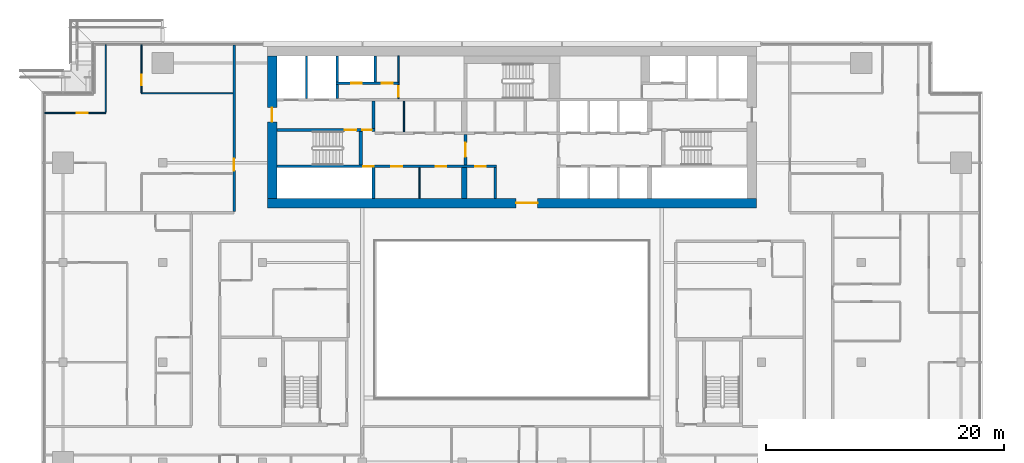
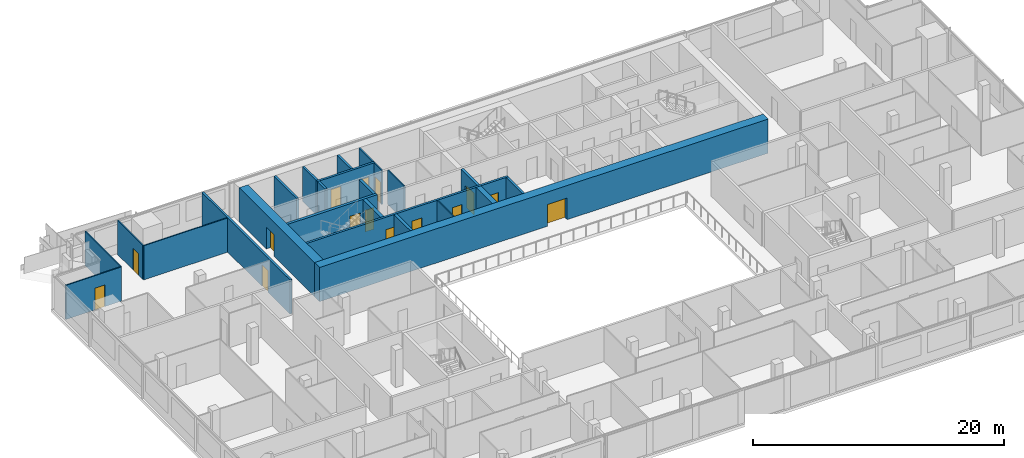
# One storey, part 21 of 30: 24 walls, 15 doors, 15 openings.
"""IFC4 building model written with IfcOpenShell, lengths in metres."""

import ifcopenshell
import ifcopenshell.guid

model = None  # the IFC model being written
_history = None  # IfcOwnerHistory: only IFC2X3 demands one
_inside = {}  # id of a spatial element -> (the spatial element, [elements in it])
_under = {}  # id of a project, library or spatial element -> (it, [spatial elements below it])
_declared = {}  # id of a project -> (the project, [libraries it declares])
_typed = {}  # id of a type object -> (the type object, [elements of that type])
_made_of = {}  # id of a material, layer set ... -> (it, [elements and type objects made of it])


def new_model(schema):
    """Start an empty IFC model of exactly this schema.

    Asked for "IFC4X3", IfcOpenShell would pick the latest addendum, in which some entities
    have other attributes; the version numbers below select the first issue.
    IFC2X3 requires an IfcOwnerHistory on every rooted entity: one is made here for all.
    """
    global model, _history
    if schema == "IFC4X3":
        model = ifcopenshell.file(schema_version=(4, 3, 0, 0))
    else:
        model = ifcopenshell.file(schema=schema)
    _inside.clear()
    _under.clear()
    _declared.clear()
    _typed.clear()
    _made_of.clear()
    _history = None
    if model.schema == "IFC2X3":
        org = make("IfcOrganization", Name="unknown")
        user = make(
            "IfcPersonAndOrganization",
            ThePerson=make("IfcPerson", FamilyName="unknown"),
            TheOrganization=org,
        )
        app = make(
            "IfcApplication",
            ApplicationDeveloper=org,
            Version="unknown",
            ApplicationFullName="unknown",
            ApplicationIdentifier="unknown",
        )
        _history = make(
            "IfcOwnerHistory",
            OwningUser=user,
            OwningApplication=app,
            ChangeAction="ADDED",
            CreationDate=0,
        )
    return model


def make(cls, **values):
    """One entity of the class cls with the attributes given. An attribute that is None is left unset."""
    return model.create_entity(
        cls, **{name: value for name, value in values.items() if value is not None}
    )


def rooted(cls, **values):
    """An entity with a GlobalId (a new one), such as an element, a storey or a relation."""
    return make(cls, GlobalId=ifcopenshell.guid.new(), OwnerHistory=_history, **values)


def si_unit(unit_type, name, prefix=None):
    """IfcSIUnit, for example si_unit("LENGTHUNIT", "METRE", prefix="MILLI")."""
    return make("IfcSIUnit", UnitType=unit_type, Prefix=prefix, Name=name)


def assignment(units):
    """IfcUnitAssignment: the units of a project."""
    return None if units is None else make("IfcUnitAssignment", Units=units)


def point(xyz):
    """IfcCartesianPoint."""
    return None if xyz is None else make("IfcCartesianPoint", Coordinates=xyz)


def direction(xyz):
    """IfcDirection."""
    return None if xyz is None else make("IfcDirection", DirectionRatios=xyz)


def frame(location, z_axis=None, x_axis=None):
    """IfcAxis2Placement3D, a coordinate frame: its origin and axes. An axis left out is left unset."""
    return make(
        "IfcAxis2Placement3D",
        Location=point(location),
        Axis=direction(z_axis),
        RefDirection=direction(x_axis),
    )


def frame_2d(location, x_axis=None):
    """IfcAxis2Placement2D, a coordinate frame in the plane: its origin and x axis."""
    return make(
        "IfcAxis2Placement2D", Location=point(location), RefDirection=direction(x_axis)
    )


def origin():
    """The frame at (0, 0, 0) with its axes left unset."""
    return frame((0.0, 0.0, 0.0))


def place(relative_to, where):
    """IfcLocalPlacement: puts the frame where relative to a parent placement (None: the world)."""
    return make(
        "IfcLocalPlacement", PlacementRelTo=relative_to, RelativePlacement=where
    )


def context(
    kind, dimensions, precision=None, world=None, true_north=None, identifier=None
):
    """IfcGeometricRepresentationContext, for example the 3D "Model" context."""
    return make(
        "IfcGeometricRepresentationContext",
        ContextIdentifier=identifier,
        ContextType=kind,
        CoordinateSpaceDimension=dimensions,
        Precision=precision,
        WorldCoordinateSystem=world,
        TrueNorth=true_north,
    )


def subcontext(parent, identifier, kind, view, scale=None):
    """IfcGeometricRepresentationSubContext, for example "Body" below "Model"."""
    return make(
        "IfcGeometricRepresentationSubContext",
        ContextIdentifier=identifier,
        ContextType=kind,
        ParentContext=parent,
        TargetScale=scale,
        TargetView=view,
    )


def project(units=None, contexts=None):
    """IfcProject with its units and contexts."""
    return rooted(
        "IfcProject",
        Name="project",
        RepresentationContexts=contexts,
        UnitsInContext=assignment(units),
    )


def spatial(cls, under=None, at=None, **own):
    """A site, building, storey or space (cls), placed at a placement, below another one or the project."""
    s = rooted(cls, ObjectPlacement=at, **own)
    if under is not None:
        _under.setdefault(under.id(), (under, []))[1].append(s)
    return s


def profile(cls, at=None, kind="AREA", **sizes):
    """A parametric profile (cls). Its sizes go by their IFC names, for example OverallWidth=200.0."""
    return make(cls, ProfileType=kind, Position=at, **sizes)


def rectangle(**sizes):
    """IfcRectangleProfileDef."""
    return profile("IfcRectangleProfileDef", **sizes)


def extrude(swept, where, along, depth):
    """IfcExtrudedAreaSolid: the profile swept, set in the frame where, extruded along a direction by depth."""
    return make(
        "IfcExtrudedAreaSolid",
        SweptArea=swept,
        Position=where,
        ExtrudedDirection=direction(along),
        Depth=depth,
    )


def shape(context_of_items, identifier, shape_type, items):
    """IfcShapeRepresentation: the items that make up one representation, for example the "Body"."""
    return make(
        "IfcShapeRepresentation",
        ContextOfItems=context_of_items,
        RepresentationIdentifier=identifier,
        RepresentationType=shape_type,
        Items=items,
    )


def material(Name=None, Category=None):
    """IfcMaterial."""
    return make("IfcMaterial", Name=Name, Category=Category)


def layer(
    of_material, thickness, ventilated=None, Name=None, Category=None, Priority=None
):
    """IfcMaterialLayer: one layer of a wall or slab, of a material (None: an air gap)."""
    return make(
        "IfcMaterialLayer",
        Material=of_material,
        LayerThickness=thickness,
        IsVentilated=ventilated,
        Name=Name,
        Category=Category,
        Priority=Priority,
    )


def layer_set(layers, Name=None):
    """IfcMaterialLayerSet."""
    return make("IfcMaterialLayerSet", MaterialLayers=layers, LayerSetName=Name)


def made_of(thing, what):
    """Note that an element or type object is made of a material, layer set ...; save() writes the relation."""
    if what is not None:
        _made_of.setdefault(what.id(), (what, []))[1].append(thing)
    return thing


def type_object(cls, material=None, **own):
    """A type object (cls), such as IfcWallType, which elements share."""
    return made_of(rooted(cls, **own), material)


def element(
    cls,
    number,
    at=None,
    inside=None,
    cuts=None,
    type_object=None,
    material=None,
    context=None,
    identifier="Body",
    shape_type=None,
    held_by="IfcProductDefinitionShape",
    body=None,
    shapes=None,
    **own,
):
    """One element of the class cls, such as IfcWall. Its Tag is "e" and its number.

    at: its placement. inside: the storey or other place that contains it. cuts: it is an
    opening in that element (IfcRelVoidsElement). A single representation is given by context,
    identifier, shape_type and body (its items); several are given by shapes. held_by: the class
    of the entity that holds the representations. save() writes the other relations.
    """
    e = rooted(cls, Tag="e%d" % number, ObjectPlacement=at, **own)
    if body is not None:
        shapes = [shape(context, identifier, shape_type, body)]
    if shapes is not None:
        e.Representation = make(held_by, Representations=shapes)
    if inside is not None:
        _inside.setdefault(inside.id(), (inside, []))[1].append(e)
    if cuts is not None:
        rooted(
            "IfcRelVoidsElement", RelatingBuildingElement=cuts, RelatedOpeningElement=e
        )
    if type_object is not None:
        _typed.setdefault(type_object.id(), (type_object, []))[1].append(e)
    return made_of(e, material)


def fill(opening, filler):
    """IfcRelFillsElement: the door or window that sits in an opening."""
    return rooted(
        "IfcRelFillsElement",
        RelatingOpeningElement=opening,
        RelatedBuildingElement=filler,
    )


def aggregate(whole, parts):
    """IfcRelAggregates: a whole, such as a stair, and the parts it consists of."""
    return rooted("IfcRelAggregates", RelatingObject=whole, RelatedObjects=parts)


def save(model, path):
    """Write the relations noted so far, then the file.

    IfcRelAggregates (storeys below a building ...), IfcRelContainedInSpatialStructure (elements
    in a storey), IfcRelDefinesByType, IfcRelAssociatesMaterial and IfcRelDeclares: one each for
    every whole, place, type object, material and project.
    """
    for whole, parts in _under.values():
        aggregate(whole, parts)
    for where, things in _inside.values():
        rooted(
            "IfcRelContainedInSpatialStructure",
            RelatedElements=things,
            RelatingStructure=where,
        )
    for kind, things in _typed.values():
        rooted("IfcRelDefinesByType", RelatedObjects=things, RelatingType=kind)
    for what, things in _made_of.values():
        rooted("IfcRelAssociatesMaterial", RelatedObjects=things, RelatingMaterial=what)
    for by, libraries in _declared.values():
        rooted("IfcRelDeclares", RelatingContext=by, RelatedDefinitions=libraries)
    model.write(path)


model = new_model("IFC4")

# Units and contexts
model_context = context("Model", 3, precision=1e-05, world=origin(), true_north=direction((0.0, 1.0)))
body_context = subcontext(model_context, "Body", "Model", "MODEL_VIEW")
ifc_project = project(units=[si_unit("LENGTHUNIT", "METRE"), si_unit("AREAUNIT", "SQUARE_METRE"), si_unit("VOLUMEUNIT", "CUBIC_METRE"), si_unit("PLANEANGLEUNIT", "RADIAN"), si_unit("MASSUNIT", "GRAM", prefix="KILO")], contexts=[model_context])

# Site, building, storey
site_placement = place(None, origin())
site = spatial("IfcSite", under=ifc_project, at=site_placement, CompositionType="ELEMENT")
building_placement = place(site_placement, origin())
building = spatial("IfcBuilding", under=site, at=building_placement, Name="Saffron Gate Tower", CompositionType="ELEMENT")
storey_placement = place(building_placement, frame((0.0, 0.0, 179.85009765625)))
storey = spatial("IfcBuildingStorey", under=building, at=storey_placement, Name="L44", CompositionType="ELEMENT", Elevation=179.85009765625)

# Wall
ifc_material_1 = material(Name="Gypsum board partition on steel studs", Category="steel")
ifc_layer_1 = layer(ifc_material_1, 0.199951171875)
ifc_layer_set_1 = layer_set([ifc_layer_1], Name="CW10 Core partition 200")
wall_type_1 = type_object("IfcWallType", Name="CW10 Core partition 200", PredefinedType="PARTITIONING", material=ifc_layer_set_1)
wall_1_placement = place(storey_placement, frame((86.199951171875, 62.39990234375, 0.0), z_axis=(0.0, 0.0, 1.0), x_axis=(0.0, 1.0, 0.0)))
element("IfcWall", 1, at=wall_1_placement, inside=storey, type_object=wall_type_1, Name="Wall CW10-L44-8", PredefinedType="PARTITIONING", context=body_context, shape_type="SweptSolid", body=[
    extrude(rectangle(XDim=2.60009765625, YDim=0.199951171875, at=frame_2d((1.300048828125, 0.0))), origin(), (0.0, 0.0, 1.0), 3.31982421875),
])

# Wall, opening, door
ifc_material_2 = material(Name="Concrete C60", Category="concrete")
ifc_layer_2 = layer(ifc_material_2, 0.800048828125)
ifc_layer_set_2 = layer_set([ifc_layer_2], Name="CW13 RC core wall 800 C60")
wall_type_2 = type_object("IfcWallType", Name="CW13 RC core wall 800 C60", PredefinedType="SOLIDWALL", material=ifc_layer_set_2)
wall_2_placement = place(storey_placement, frame((67.0, 62.0, 0.0), z_axis=(0.0, 0.0, 1.0), x_axis=(1.0, 0.0, 0.0)))
wall_2 = element("IfcWall", 2, at=wall_2_placement, inside=storey, type_object=wall_type_2, Name="Wall CW13-L44-1", PredefinedType="SOLIDWALL", context=body_context, shape_type="SweptSolid", body=[
    extrude(rectangle(XDim=41.199951171875, YDim=0.800048828125, at=frame_2d((20.60009765625, 0.0))), origin(), (0.0, 0.0, 1.0), 3.31982421875),
])
opening_1_placement = place(wall_2_placement, frame((20.949951171875, 0.0, 0.0)))
opening_1 = element("IfcOpeningElement", 3, at=opening_1_placement, cuts=wall_2, Name="Opening CR-09", PredefinedType="OPENING", context=body_context, shape_type="SweptSolid", body=[
    extrude(rectangle(XDim=1.800048828125, YDim=2.10009765625, at=frame_2d((0.89990234375, 1.050048828125))), frame((0.0, 0.41015625, 0.0), z_axis=(0.0, -1.0, 0.0), x_axis=(1.0, 0.0, 0.0)), (0.0, 0.0, 1.0), 0.820068359375),
])
ifc_material_3 = material(Name="Steel fire door set", Category="steel")
door_type_1 = type_object("IfcDoorType", Name="CD1 Core entrance door 1800x2100 EI 120", OperationType="NOTDEFINED", PredefinedType="DOOR", material=ifc_material_3)
door_1_placement = place(opening_1_placement, origin())
door_1 = element("IfcDoor", 4, at=door_1_placement, inside=storey, type_object=door_type_1, Name="DOOR CR-09", OperationType="DOUBLE_DOOR_SINGLE_SWING", OverallHeight=2.10009765625, OverallWidth=1.800048828125, PredefinedType="DOOR", context=body_context, shape_type="SweptSolid", body=[
    extrude(rectangle(XDim=1.800048828125, YDim=2.10009765625, at=frame_2d((0.89990234375, 1.050048828125))), frame((0.0, 0.02490234375, 0.0), z_axis=(0.0, -1.0, 0.0), x_axis=(1.0, 0.0, 0.0)), (0.0, 0.0, 1.0), 0.050048828125),
])
fill(opening_1, door_1)

wall_3_placement = place(storey_placement, frame((67.39990234375, 62.39990234375, 0.0), z_axis=(0.0, 0.0, 1.0), x_axis=(0.0, 1.0, 0.0)))
wall_3 = element("IfcWall", 5, at=wall_3_placement, inside=storey, type_object=wall_type_2, Name="Wall CW13-L44-3", PredefinedType="SOLIDWALL", context=body_context, shape_type="SweptSolid", body=[
    extrude(rectangle(XDim=12.0, YDim=0.800048828125, at=frame_2d((6.0, 0.0))), origin(), (0.0, 0.0, 1.0), 3.31982421875),
])
opening_2_placement = place(wall_3_placement, frame((6.449951171875, 0.0, 0.0)))
opening_2 = element("IfcOpeningElement", 6, at=opening_2_placement, cuts=wall_3, Name="Opening CR-10", PredefinedType="OPENING", context=body_context, shape_type="SweptSolid", body=[
    extrude(rectangle(XDim=1.199951171875, YDim=2.10009765625, at=frame_2d((0.60009765625, 1.050048828125))), frame((0.0, 0.41015625, 0.0), z_axis=(0.0, -1.0, 0.0), x_axis=(1.0, 0.0, 0.0)), (0.0, 0.0, 1.0), 0.820068359375),
])
door_type_2 = type_object("IfcDoorType", Name="CD7 Core entrance door 1200x2100 EI 120", OperationType="NOTDEFINED", PredefinedType="DOOR", material=ifc_material_3)
door_2_placement = place(opening_2_placement, origin())
door_2 = element("IfcDoor", 7, at=door_2_placement, inside=storey, type_object=door_type_2, Name="DOOR CR-10", OperationType="SINGLE_SWING_LEFT", OverallHeight=2.10009765625, OverallWidth=1.199951171875, PredefinedType="DOOR", context=body_context, shape_type="SweptSolid", body=[
    extrude(rectangle(XDim=1.199951171875, YDim=2.10009765625, at=frame_2d((0.60009765625, 1.050048828125))), frame((0.0, 0.02490234375, 0.0), z_axis=(0.0, -1.0, 0.0), x_axis=(1.0, 0.0, 0.0)), (0.0, 0.0, 1.0), 0.050048828125),
])
fill(opening_2, door_2)

# Wall
ifc_layer_3 = layer(ifc_material_2, 0.25)
ifc_layer_set_3 = layer_set([ifc_layer_3], Name="CW14 RC core wall 250 C60")
wall_type_3 = type_object("IfcWallType", Name="CW14 RC core wall 250 C60", PredefinedType="SOLIDWALL", material=ifc_layer_set_3)
wall_4_placement = place(storey_placement, frame((75.925048828125, 62.39990234375, 0.0), z_axis=(0.0, 0.0, 1.0), x_axis=(0.0, 1.0, 0.0)))
element("IfcWall", 8, at=wall_4_placement, inside=storey, type_object=wall_type_3, Name="Wall CW14-L44-5", PredefinedType="SOLIDWALL", context=body_context, shape_type="SweptSolid", body=[
    extrude(rectangle(XDim=2.60009765625, YDim=0.25, at=frame_2d((1.300048828125, 0.0))), origin(), (0.0, 0.0, 1.0), 3.31982421875),
])

# Wall, opening, door
wall_5_placement = place(storey_placement, frame((83.675048828125, 65.199951171875, 0.0), z_axis=(0.0, 0.0, 1.0), x_axis=(0.0, 1.0, 0.0)))
wall_5 = element("IfcWall", 9, at=wall_5_placement, inside=storey, type_object=wall_type_3, Name="Wall CW14-L44-16", PredefinedType="SOLIDWALL", context=body_context, shape_type="SweptSolid", body=[
    extrude(rectangle(XDim=2.60009765625, YDim=0.25, at=frame_2d((1.300048828125, 0.0))), origin(), (0.0, 0.0, 1.0), 3.31982421875),
])
opening_3_placement = place(wall_5_placement, frame((0.699951171875, 0.0, 0.0)))
opening_3 = element("IfcOpeningElement", 10, at=opening_3_placement, cuts=wall_5, Name="Opening CR-07", PredefinedType="OPENING", context=body_context, shape_type="SweptSolid", body=[
    extrude(rectangle(XDim=1.199951171875, YDim=2.10009765625, at=frame_2d((0.60009765625, 1.050048828125))), frame((0.0, 0.135009765625, 0.0), z_axis=(0.0, -1.0, 0.0), x_axis=(1.0, 0.0, 0.0)), (0.0, 0.0, 1.0), 0.27001953125),
])
door_type_3 = type_object("IfcDoorType", Name="CD3 Lobby door 1200x2100 EI 120", OperationType="NOTDEFINED", PredefinedType="DOOR", material=ifc_material_3)
door_3_placement = place(opening_3_placement, origin())
door_3 = element("IfcDoor", 11, at=door_3_placement, inside=storey, type_object=door_type_3, Name="DOOR CR-07", OperationType="SINGLE_SWING_RIGHT", OverallHeight=2.10009765625, OverallWidth=1.199951171875, PredefinedType="DOOR", context=body_context, shape_type="SweptSolid", body=[
    extrude(rectangle(XDim=1.199951171875, YDim=2.10009765625, at=frame_2d((0.60009765625, 1.050048828125))), frame((0.0, 0.02490234375, 0.0), z_axis=(0.0, -1.0, 0.0), x_axis=(1.0, 0.0, 0.0)), (0.0, 0.0, 1.0), 0.050048828125),
])
fill(opening_3, door_3)

# Wall, openings, doors
wall_6_placement = place(storey_placement, frame((67.800048828125, 68.175048828125, 0.0), z_axis=(0.0, 0.0, 1.0), x_axis=(1.0, 0.0, 0.0)))
wall_6 = element("IfcWall", 12, at=wall_6_placement, inside=storey, type_object=wall_type_3, Name="Wall CW14-L44-29", PredefinedType="SOLIDWALL", context=body_context, shape_type="SweptSolid", body=[
    extrude(rectangle(XDim=8.25, YDim=0.25, at=frame_2d((4.125, 0.0))), origin(), (0.0, 0.0, 1.0), 3.31982421875),
])
opening_4_placement = place(wall_6_placement, frame((5.699951171875, 0.0, 0.0)))
opening_4 = element("IfcOpeningElement", 13, at=opening_4_placement, cuts=wall_6, Name="Opening CR-15", PredefinedType="OPENING", context=body_context, shape_type="SweptSolid", body=[
    extrude(rectangle(XDim=1.0, YDim=2.10009765625, at=frame_2d((0.5, 1.050048828125))), frame((0.0, 0.135009765625, 0.0), z_axis=(0.0, -1.0, 0.0), x_axis=(1.0, 0.0, 0.0)), (0.0, 0.0, 1.0), 0.27001953125),
])
opening_5_placement = place(wall_6_placement, frame((7.199951171875, 0.0, 0.0)))
opening_5 = element("IfcOpeningElement", 14, at=opening_5_placement, cuts=wall_6, Name="Opening CR-06", PredefinedType="OPENING", context=body_context, shape_type="SweptSolid", body=[
    extrude(rectangle(XDim=0.800048828125, YDim=2.10009765625, at=frame_2d((0.39990234375, 1.050048828125))), frame((0.0, 0.135009765625, 0.0), z_axis=(0.0, -1.0, 0.0), x_axis=(1.0, 0.0, 0.0)), (0.0, 0.0, 1.0), 0.27001953125),
])
door_type_4 = type_object("IfcDoorType", Name="CD5 Stair door 1000x2100 EI 120", OperationType="NOTDEFINED", PredefinedType="DOOR", material=ifc_material_3)
door_4_placement = place(opening_4_placement, origin())
door_4 = element("IfcDoor", 15, at=door_4_placement, inside=storey, type_object=door_type_4, Name="DOOR CR-15", OperationType="SINGLE_SWING_RIGHT", OverallHeight=2.10009765625, OverallWidth=1.0, PredefinedType="DOOR", context=body_context, shape_type="SweptSolid", body=[
    extrude(rectangle(XDim=1.0, YDim=2.10009765625, at=frame_2d((0.5, 1.050048828125))), frame((0.0, 0.02490234375, 0.0), z_axis=(0.0, -1.0, 0.0), x_axis=(1.0, 0.0, 0.0)), (0.0, 0.0, 1.0), 0.050048828125),
])
fill(opening_4, door_4)
door_type_5 = type_object("IfcDoorType", Name="CD6 Lobby door 800x2100 EI 120", OperationType="NOTDEFINED", PredefinedType="DOOR", material=ifc_material_3)
door_5_placement = place(opening_5_placement, origin())
door_5 = element("IfcDoor", 16, at=door_5_placement, inside=storey, type_object=door_type_5, Name="DOOR CR-06", OperationType="SINGLE_SWING_LEFT", OverallHeight=2.10009765625, OverallWidth=0.800048828125, PredefinedType="DOOR", context=body_context, shape_type="SweptSolid", body=[
    extrude(rectangle(XDim=0.800048828125, YDim=2.10009765625, at=frame_2d((0.39990234375, 1.050048828125))), frame((0.0, 0.02490234375, 0.0), z_axis=(0.0, -1.0, 0.0), x_axis=(1.0, 0.0, 0.0)), (0.0, 0.0, 1.0), 0.050048828125),
])
fill(opening_5, door_5)

# Wall
wall_7_placement = place(storey_placement, frame((75.925048828125, 68.300048828125, 0.0), z_axis=(0.0, 0.0, 1.0), x_axis=(0.0, 1.0, 0.0)))
element("IfcWall", 17, at=wall_7_placement, inside=storey, type_object=wall_type_3, Name="Wall CW14-L44-31", PredefinedType="SOLIDWALL", context=body_context, shape_type="SweptSolid", body=[
    extrude(rectangle(XDim=2.300048828125, YDim=0.25, at=frame_2d((1.14990234375, 0.0))), origin(), (0.0, 0.0, 1.0), 3.31982421875),
])

# Wall, openings, doors
ifc_layer_4 = layer(ifc_material_2, 0.199951171875)
ifc_layer_set_4 = layer_set([ifc_layer_4], Name="CW15 RC core wall 200 C60")
wall_type_4 = type_object("IfcWallType", Name="CW15 RC core wall 200 C60", PredefinedType="SOLIDWALL", material=ifc_layer_set_4)
wall_8_placement = place(storey_placement, frame((67.800048828125, 65.10009765625, 0.0), z_axis=(0.0, 0.0, 1.0), x_axis=(1.0, 0.0, 0.0)))
wall_8 = element("IfcWall", 18, at=wall_8_placement, inside=storey, type_object=wall_type_4, Name="Wall CW15-L44-13", PredefinedType="SOLIDWALL", context=body_context, shape_type="SweptSolid", body=[
    extrude(rectangle(XDim=18.5, YDim=0.199951171875, at=frame_2d((9.25, 0.0))), origin(), (0.0, 0.0, 1.0), 3.31982421875),
])
opening_6_placement = place(wall_8_placement, frame((7.27001953125, 0.0, 0.0)))
opening_6 = element("IfcOpeningElement", 19, at=opening_6_placement, cuts=wall_8, Name="Opening CR-49", PredefinedType="OPENING", context=body_context, shape_type="SweptSolid", body=[
    extrude(rectangle(XDim=0.89990234375, YDim=2.10009765625, at=frame_2d((0.449951171875, 1.050048828125))), frame((0.0, 0.10986328125, 0.0), z_axis=(0.0, -1.0, 0.0), x_axis=(1.0, 0.0, 0.0)), (0.0, 0.0, 1.0), 0.219970703125),
])
opening_7_placement = place(wall_8_placement, frame((9.64990234375, 0.0, 0.0)))
opening_7 = element("IfcOpeningElement", 20, at=opening_7_placement, cuts=wall_8, Name="Opening CR-64", PredefinedType="OPENING", context=body_context, shape_type="SweptSolid", body=[
    extrude(rectangle(XDim=0.89990234375, YDim=2.10009765625, at=frame_2d((0.449951171875, 1.050048828125))), frame((0.0, 0.10986328125, 0.0), z_axis=(0.0, -1.0, 0.0), x_axis=(1.0, 0.0, 0.0)), (0.0, 0.0, 1.0), 0.219970703125),
])
opening_8_placement = place(wall_8_placement, frame((13.360107421875, 0.0, 0.0)))
opening_8 = element("IfcOpeningElement", 21, at=opening_8_placement, cuts=wall_8, Name="Opening CR-65", PredefinedType="OPENING", context=body_context, shape_type="SweptSolid", body=[
    extrude(rectangle(XDim=0.89990234375, YDim=2.10009765625, at=frame_2d((0.449951171875, 1.050048828125))), frame((0.0, 0.10986328125, 0.0), z_axis=(0.0, -1.0, 0.0), x_axis=(1.0, 0.0, 0.0)), (0.0, 0.0, 1.0), 0.219970703125),
])
opening_9_placement = place(wall_8_placement, frame((16.699951171875, 0.0, 0.0)))
opening_9 = element("IfcOpeningElement", 22, at=opening_9_placement, cuts=wall_8, Name="Opening CR-69", PredefinedType="OPENING", context=body_context, shape_type="SweptSolid", body=[
    extrude(rectangle(XDim=0.89990234375, YDim=2.10009765625, at=frame_2d((0.449951171875, 1.050048828125))), frame((0.0, 0.10986328125, 0.0), z_axis=(0.0, -1.0, 0.0), x_axis=(1.0, 0.0, 0.0)), (0.0, 0.0, 1.0), 0.219970703125),
])
door_type_6 = type_object("IfcDoorType", Name="CD2 Riser door 900x2100 EI 60", OperationType="NOTDEFINED", PredefinedType="DOOR", material=ifc_material_3)
door_6_placement = place(opening_6_placement, origin())
door_6 = element("IfcDoor", 23, at=door_6_placement, inside=storey, type_object=door_type_6, Name="DOOR CR-49", OperationType="SINGLE_SWING_LEFT", OverallHeight=2.10009765625, OverallWidth=0.89990234375, PredefinedType="DOOR", context=body_context, shape_type="SweptSolid", body=[
    extrude(rectangle(XDim=0.89990234375, YDim=2.10009765625, at=frame_2d((0.449951171875, 1.050048828125))), frame((0.0, 0.02490234375, 0.0), z_axis=(0.0, -1.0, 0.0), x_axis=(1.0, 0.0, 0.0)), (0.0, 0.0, 1.0), 0.050048828125),
])
fill(opening_6, door_6)
door_type_7 = type_object("IfcDoorType", Name="CD9 Room door 900x2100 EI 60", OperationType="NOTDEFINED", PredefinedType="DOOR", material=ifc_material_3)
door_7_placement = place(opening_7_placement, origin())
door_7 = element("IfcDoor", 24, at=door_7_placement, inside=storey, type_object=door_type_7, Name="DOOR CR-64", OperationType="SINGLE_SWING_RIGHT", OverallHeight=2.10009765625, OverallWidth=0.89990234375, PredefinedType="DOOR", context=body_context, shape_type="SweptSolid", body=[
    extrude(rectangle(XDim=0.89990234375, YDim=2.10009765625, at=frame_2d((0.449951171875, 1.050048828125))), frame((0.0, 0.02490234375, 0.0), z_axis=(0.0, -1.0, 0.0), x_axis=(1.0, 0.0, 0.0)), (0.0, 0.0, 1.0), 0.050048828125),
])
fill(opening_7, door_7)
door_8_placement = place(opening_8_placement, origin())
door_8 = element("IfcDoor", 25, at=door_8_placement, inside=storey, type_object=door_type_7, Name="DOOR CR-65", OperationType="SINGLE_SWING_RIGHT", OverallHeight=2.10009765625, OverallWidth=0.89990234375, PredefinedType="DOOR", context=body_context, shape_type="SweptSolid", body=[
    extrude(rectangle(XDim=0.89990234375, YDim=2.10009765625, at=frame_2d((0.449951171875, 1.050048828125))), frame((0.0, 0.02490234375, 0.0), z_axis=(0.0, -1.0, 0.0), x_axis=(1.0, 0.0, 0.0)), (0.0, 0.0, 1.0), 0.050048828125),
])
fill(opening_8, door_8)
door_9_placement = place(opening_9_placement, origin())
door_9 = element("IfcDoor", 26, at=door_9_placement, inside=storey, type_object=door_type_7, Name="DOOR CR-69", OperationType="SINGLE_SWING_RIGHT", OverallHeight=2.10009765625, OverallWidth=0.89990234375, PredefinedType="DOOR", context=body_context, shape_type="SweptSolid", body=[
    extrude(rectangle(XDim=0.89990234375, YDim=2.10009765625, at=frame_2d((0.449951171875, 1.050048828125))), frame((0.0, 0.02490234375, 0.0), z_axis=(0.0, -1.0, 0.0), x_axis=(1.0, 0.0, 0.0)), (0.0, 0.0, 1.0), 0.050048828125),
])
fill(opening_9, door_9)

# Walls
wall_9_placement = place(storey_placement, frame((70.300048828125, 70.800048828125, 0.0), z_axis=(0.0, 0.0, 1.0), x_axis=(0.0, 1.0, 0.0)))
element("IfcWall", 27, at=wall_9_placement, inside=storey, type_object=wall_type_4, Name="Wall CW15-L44-34", PredefinedType="SOLIDWALL", context=body_context, shape_type="SweptSolid", body=[
    extrude(rectangle(XDim=3.599853515625, YDim=0.199951171875, at=frame_2d((1.7998046875, 0.0))), origin(), (0.0, 0.0, 1.0), 3.31982421875),
])
wall_10_placement = place(storey_placement, frame((72.89990234375, 70.800048828125, 0.0), z_axis=(0.0, 0.0, 1.0), x_axis=(0.0, 1.0, 0.0)))
element("IfcWall", 28, at=wall_10_placement, inside=storey, type_object=wall_type_4, Name="Wall CW15-L44-35", PredefinedType="SOLIDWALL", context=body_context, shape_type="SweptSolid", body=[
    extrude(rectangle(XDim=1.199951171875, YDim=0.199951171875, at=frame_2d((0.60009765625, 0.0))), origin(), (0.0, 0.0, 1.0), 3.31982421875),
])

# Wall, openings, doors
wall_11_placement = place(storey_placement, frame((72.800048828125, 72.10009765625, 0.0), z_axis=(0.0, 0.0, 1.0), x_axis=(1.0, 0.0, 0.0)))
wall_11 = element("IfcWall", 29, at=wall_11_placement, inside=storey, type_object=wall_type_4, Name="Wall CW15-L44-42", PredefinedType="SOLIDWALL", context=body_context, shape_type="SweptSolid", body=[
    extrude(rectangle(XDim=5.320068359375, YDim=0.199951171875, at=frame_2d((2.66015625, 0.0))), origin(), (0.0, 0.0, 1.0), 3.31982421875),
])
opening_10_placement = place(wall_11_placement, frame((1.25, 0.0, 0.0)))
opening_10 = element("IfcOpeningElement", 30, at=opening_10_placement, cuts=wall_11, Name="Opening CR-71", PredefinedType="OPENING", context=body_context, shape_type="SweptSolid", body=[
    extrude(rectangle(XDim=0.89990234375, YDim=2.10009765625, at=frame_2d((0.449951171875, 1.050048828125))), frame((0.0, 0.10986328125, 0.0), z_axis=(0.0, -1.0, 0.0), x_axis=(1.0, 0.0, 0.0)), (0.0, 0.0, 1.0), 0.219970703125),
])
opening_11_placement = place(wall_11_placement, frame((3.85009765625, 0.0, 0.0)))
opening_11 = element("IfcOpeningElement", 31, at=opening_11_placement, cuts=wall_11, Name="Opening CR-55", PredefinedType="OPENING", context=body_context, shape_type="SweptSolid", body=[
    extrude(rectangle(XDim=0.89990234375, YDim=2.10009765625, at=frame_2d((0.449951171875, 1.050048828125))), frame((0.0, 0.10986328125, 0.0), z_axis=(0.0, -1.0, 0.0), x_axis=(1.0, 0.0, 0.0)), (0.0, 0.0, 1.0), 0.219970703125),
])
door_10_placement = place(opening_10_placement, origin())
door_10 = element("IfcDoor", 32, at=door_10_placement, inside=storey, type_object=door_type_6, Name="DOOR CR-71", OperationType="SINGLE_SWING_LEFT", OverallHeight=2.10009765625, OverallWidth=0.89990234375, PredefinedType="DOOR", context=body_context, shape_type="SweptSolid", body=[
    extrude(rectangle(XDim=0.89990234375, YDim=2.10009765625, at=frame_2d((0.449951171875, 1.050048828125))), frame((0.0, 0.02490234375, 0.0), z_axis=(0.0, -1.0, 0.0), x_axis=(1.0, 0.0, 0.0)), (0.0, 0.0, 1.0), 0.050048828125),
])
fill(opening_10, door_10)
door_11_placement = place(opening_11_placement, origin())
door_11 = element("IfcDoor", 33, at=door_11_placement, inside=storey, type_object=door_type_7, Name="DOOR CR-55", OperationType="SINGLE_SWING_LEFT", OverallHeight=2.10009765625, OverallWidth=0.89990234375, PredefinedType="DOOR", context=body_context, shape_type="SweptSolid", body=[
    extrude(rectangle(XDim=0.89990234375, YDim=2.10009765625, at=frame_2d((0.449951171875, 1.050048828125))), frame((0.0, 0.02490234375, 0.0), z_axis=(0.0, -1.0, 0.0), x_axis=(1.0, 0.0, 0.0)), (0.0, 0.0, 1.0), 0.050048828125),
])
fill(opening_11, door_11)

# Walls
for number, where, z_axis, x_axis, name in (
    (34, (72.89990234375, 72.199951171875, 0.0), (0.0, 0.0, 1.0), (0.0, 1.0, 0.0), "Wall CW15-L44-44"),
    (35, (76.10009765625, 72.199951171875, 0.0), (0.0, 0.0, 1.0), (0.0, 1.0, 0.0), "Wall CW15-L44-45"),
):
    element("IfcWall", number, at=place(storey_placement, frame(where, z_axis=z_axis, x_axis=x_axis)), inside=storey, type_object=wall_type_4, Name=name, PredefinedType="SOLIDWALL", context=body_context, shape_type="SweptSolid", body=[
        extrude(rectangle(XDim=2.199951171875, YDim=0.199951171875, at=frame_2d((1.10009765625, 0.0))), origin(), (0.0, 0.0, 1.0), 3.31982421875),
    ])
ifc_layer_5 = layer(ifc_material_2, 0.449951171875)
ifc_layer_set_5 = layer_set([ifc_layer_5], Name="CW16 RC core wall 450 C60")
wall_type_5 = type_object("IfcWallType", Name="CW16 RC core wall 450 C60", PredefinedType="SOLIDWALL", material=ifc_layer_set_5)
wall_12_placement = place(storey_placement, frame((83.574951171875, 62.39990234375, 0.0), z_axis=(0.0, 0.0, 1.0), x_axis=(0.0, 1.0, 0.0)))
element("IfcWall", 36, at=wall_12_placement, inside=storey, type_object=wall_type_5, Name="Wall CW16-L44-7", PredefinedType="SOLIDWALL", context=body_context, shape_type="SweptSolid", body=[
    extrude(rectangle(XDim=2.60009765625, YDim=0.449951171875, at=frame_2d((1.300048828125, 0.0))), origin(), (0.0, 0.0, 1.0), 3.31982421875),
])
ifc_layer_6 = layer(ifc_material_2, 0.300048828125)
ifc_layer_set_6 = layer_set([ifc_layer_6], Name="CW17 RC core wall 300 C60")
wall_type_6 = type_object("IfcWallType", Name="CW17 RC core wall 300 C60", PredefinedType="SOLIDWALL", material=ifc_layer_set_6)
wall_13_placement = place(storey_placement, frame((74.85009765625, 65.199951171875, 0.0), z_axis=(0.0, 0.0, 1.0), x_axis=(0.0, 1.0, 0.0)))
element("IfcWall", 37, at=wall_13_placement, inside=storey, type_object=wall_type_6, Name="Wall CW17-L44-15", PredefinedType="SOLIDWALL", context=body_context, shape_type="SweptSolid", body=[
    extrude(rectangle(XDim=2.85009765625, YDim=0.300048828125, at=frame_2d((1.425048828125, 0.0))), origin(), (0.0, 0.0, 1.0), 3.31982421875),
])
ifc_layer_7 = layer(ifc_material_1, 0.1201171875)
ifc_layer_set_7 = layer_set([ifc_layer_7], Name="CW8 Core partition 120")
wall_type_7 = type_object("IfcWallType", Name="CW8 Core partition 120", PredefinedType="PARTITIONING", material=ifc_layer_set_7)
for number, where, z_axis, x_axis, name in (
    (38, (79.81005859375, 62.39990234375, 0.0), (0.0, 0.0, 1.0), (0.0, 1.0, 0.0), "Wall CW8-L44-6"),
    (39, (78.510009765625, 68.0, 0.0), (0.0, 0.0, 1.0), (0.0, 1.0, 0.0), "Wall CW8-L44-20"),
):
    element("IfcWall", number, at=place(storey_placement, frame(where, z_axis=z_axis, x_axis=x_axis)), inside=storey, type_object=wall_type_7, Name=name, PredefinedType="PARTITIONING", context=body_context, shape_type="SweptSolid", body=[
        extrude(rectangle(XDim=2.60009765625, YDim=0.1201171875, at=frame_2d((1.300048828125, 0.0))), origin(), (0.0, 0.0, 1.0), 3.31982421875),
    ])

# Wall, opening, door
wall_14_placement = place(storey_placement, frame((78.06005859375, 70.800048828125, 0.0), z_axis=(0.0, 0.0, 1.0), x_axis=(0.0, 1.0, 0.0)))
wall_14 = element("IfcWall", 40, at=wall_14_placement, inside=storey, type_object=wall_type_7, Name="Wall CW8-L44-36", PredefinedType="PARTITIONING", context=body_context, shape_type="SweptSolid", body=[
    extrude(rectangle(XDim=1.199951171875, YDim=0.1201171875, at=frame_2d((0.60009765625, 0.0))), origin(), (0.0, 0.0, 1.0), 3.31982421875),
])
opening_12_placement = place(wall_14_placement, frame((0.14990234375, 0.0, 0.0)))
opening_12 = element("IfcOpeningElement", 41, at=opening_12_placement, cuts=wall_14, Name="Opening CR-60", PredefinedType="OPENING", context=body_context, shape_type="SweptSolid", body=[
    extrude(rectangle(XDim=0.89990234375, YDim=2.10009765625, at=frame_2d((0.449951171875, 1.050048828125))), frame((0.0, 0.070068359375, 0.0), z_axis=(0.0, -1.0, 0.0), x_axis=(1.0, 0.0, 0.0)), (0.0, 0.0, 1.0), 0.14013671875),
])
door_12_placement = place(opening_12_placement, origin())
door_12 = element("IfcDoor", 42, at=door_12_placement, inside=storey, type_object=door_type_7, Name="DOOR CR-60", OperationType="SINGLE_SWING_RIGHT", OverallHeight=2.10009765625, OverallWidth=0.89990234375, PredefinedType="DOOR", context=body_context, shape_type="SweptSolid", body=[
    extrude(rectangle(XDim=0.89990234375, YDim=2.10009765625, at=frame_2d((0.449951171875, 1.050048828125))), frame((0.0, 0.02490234375, 0.0), z_axis=(0.0, -1.0, 0.0), x_axis=(1.0, 0.0, 0.0)), (0.0, 0.0, 1.0), 0.050048828125),
])
fill(opening_12, door_12)

# Wall
wall_15_placement = place(storey_placement, frame((78.06005859375, 72.199951171875, 0.0), z_axis=(0.0, 0.0, 1.0), x_axis=(0.0, 1.0, 0.0)))
element("IfcWall", 43, at=wall_15_placement, inside=storey, type_object=wall_type_7, Name="Wall CW8-L44-46", PredefinedType="PARTITIONING", context=body_context, shape_type="SweptSolid", body=[
    extrude(rectangle(XDim=2.199951171875, YDim=0.1201171875, at=frame_2d((1.10009765625, 0.0))), origin(), (0.0, 0.0, 1.0), 3.31982421875),
])

# Wall, opening, door
ifc_material_4 = material(Name="Plasterboard on steel studs", Category="steel")
ifc_layer_8 = layer(ifc_material_4, 0.10009765625)
ifc_layer_set_8 = layer_set([ifc_layer_8], Name="PW1 Partition 100")
wall_type_8 = type_object("IfcWallType", Name="PW1 Partition 100", PredefinedType="PARTITIONING", material=ifc_layer_set_8)
wall_16_placement = place(storey_placement, frame((48.280029296875, 69.60009765625, 0.0), z_axis=(0.0, 0.0, 1.0), x_axis=(1.0, 0.0, 0.0)))
wall_16 = element("IfcWall", 44, at=wall_16_placement, inside=storey, type_object=wall_type_8, Name="Partition C4-53", PredefinedType="PARTITIONING", context=body_context, shape_type="SweptSolid", body=[
    extrude(rectangle(XDim=5.119873046875, YDim=0.10009765625, at=frame_2d((2.56005859375, 0.0))), origin(), (0.0, 0.0, 1.0), 3.31982421875),
])
opening_13_placement = place(wall_16_placement, frame((2.68701171875, 0.0, 0.0)))
opening_13 = element("IfcOpeningElement", 45, at=opening_13_placement, cuts=wall_16, Name="Opening C4-30", PredefinedType="OPENING", context=body_context, shape_type="SweptSolid", body=[
    extrude(rectangle(XDim=0.89990234375, YDim=2.10009765625, at=frame_2d((0.449951171875, 1.050048828125))), frame((0.0, 0.06005859375, 0.0), z_axis=(0.0, -1.0, 0.0), x_axis=(1.0, 0.0, 0.0)), (0.0, 0.0, 1.0), 0.1201171875),
])
ifc_material_5 = material(Name="Timber door set", Category="wood")
door_type_8 = type_object("IfcDoorType", Name="RD1 Room door 900x2100", OperationType="NOTDEFINED", PredefinedType="DOOR", material=ifc_material_5)
door_13_placement = place(opening_13_placement, origin())
door_13 = element("IfcDoor", 46, at=door_13_placement, inside=storey, type_object=door_type_8, Name="Door C4-30", OperationType="SINGLE_SWING_RIGHT", OverallHeight=2.10009765625, OverallWidth=0.89990234375, PredefinedType="DOOR", context=body_context, shape_type="SweptSolid", body=[
    extrude(rectangle(XDim=0.89990234375, YDim=2.10009765625, at=frame_2d((0.449951171875, 1.050048828125))), frame((0.0, 0.02490234375, 0.0), z_axis=(0.0, -1.0, 0.0), x_axis=(1.0, 0.0, 0.0)), (0.0, 0.0, 1.0), 0.050048828125),
])
fill(opening_13, door_13)

# Walls
wall_17_placement = place(storey_placement, frame((56.39990234375, 71.25634765625, 0.0), z_axis=(0.0, 0.0, 1.0), x_axis=(1.0, 0.0, 0.0)))
element("IfcWall", 47, at=wall_17_placement, inside=storey, type_object=wall_type_8, Name="Partition C4-55", PredefinedType="PARTITIONING", context=body_context, shape_type="SweptSolid", body=[
    extrude(rectangle(XDim=7.7001953125, YDim=0.10009765625, at=frame_2d((3.85009765625, 0.0))), origin(), (0.0, 0.0, 1.0), 3.31982421875),
])
wall_18_placement = place(storey_placement, frame((53.39990234375, 75.320068359375, 0.0), z_axis=(0.0, 0.0, 1.0), x_axis=(0.0, -1.0, 0.0)))
element("IfcWall", 48, at=wall_18_placement, inside=storey, type_object=wall_type_8, Name="Partition C4-58", PredefinedType="PARTITIONING", context=body_context, shape_type="SweptSolid", body=[
    extrude(rectangle(XDim=5.670166015625, YDim=0.10009765625, at=frame_2d((2.8349609375, 0.0))), origin(), (0.0, 0.0, 1.0), 3.31982421875),
])

# Wall, opening, door
wall_19_placement = place(storey_placement, frame((56.39990234375, 75.320068359375, 0.0), z_axis=(0.0, 0.0, 1.0), x_axis=(0.0, -1.0, 0.0)))
wall_19 = element("IfcWall", 49, at=wall_19_placement, inside=storey, type_object=wall_type_8, Name="Partition C4-63", PredefinedType="PARTITIONING", context=body_context, shape_type="SweptSolid", body=[
    extrude(rectangle(XDim=4.013671875, YDim=0.10009765625, at=frame_2d((2.0068359375, 0.0))), origin(), (0.0, 0.0, 1.0), 3.31982421875),
])
opening_14_placement = place(wall_19_placement, frame((2.49169921875, 0.0, 0.0)))
opening_14 = element("IfcOpeningElement", 50, at=opening_14_placement, cuts=wall_19, Name="Opening C4-31", PredefinedType="OPENING", context=body_context, shape_type="SweptSolid", body=[
    extrude(rectangle(XDim=0.89990234375, YDim=2.10009765625, at=frame_2d((0.449951171875, 1.050048828125))), frame((0.0, 0.06005859375, 0.0), z_axis=(0.0, -1.0, 0.0), x_axis=(1.0, 0.0, 0.0)), (0.0, 0.0, 1.0), 0.1201171875),
])
door_14_placement = place(opening_14_placement, origin())
door_14 = element("IfcDoor", 51, at=door_14_placement, inside=storey, type_object=door_type_8, Name="Door C4-31", OperationType="SINGLE_SWING_RIGHT", OverallHeight=2.10009765625, OverallWidth=0.89990234375, PredefinedType="DOOR", context=body_context, shape_type="SweptSolid", body=[
    extrude(rectangle(XDim=0.89990234375, YDim=2.10009765625, at=frame_2d((0.449951171875, 1.050048828125))), frame((0.0, 0.02490234375, 0.0), z_axis=(0.0, -1.0, 0.0), x_axis=(1.0, 0.0, 0.0)), (0.0, 0.0, 1.0), 0.050048828125),
])
fill(opening_14, door_14)

ifc_material_6 = material(Name="Clay brick masonry, rendered", Category="masonry")
ifc_layer_9 = layer(ifc_material_6, 0.199951171875)
ifc_layer_set_9 = layer_set([ifc_layer_9], Name="PW3 Corridor wall 200")
wall_type_9 = type_object("IfcWallType", Name="PW3 Corridor wall 200", PredefinedType="PARTITIONING", material=ifc_layer_set_9)
wall_20_placement = place(storey_placement, frame((64.199951171875, 61.300048828125, 0.0), z_axis=(0.0, 0.0, 1.0), x_axis=(0.0, 1.0, 0.0)))
wall_20 = element("IfcWall", 52, at=wall_20_placement, inside=storey, type_object=wall_type_9, Name="Wall C4-70", PredefinedType="PARTITIONING", context=body_context, shape_type="SweptSolid", body=[
    extrude(rectangle(XDim=14.02001953125, YDim=0.199951171875, at=frame_2d((7.010009765625, 0.0))), origin(), (0.0, 0.0, 1.0), 3.31982421875),
])
opening_15_placement = place(wall_20_placement, frame((3.449951171875, 0.0, 0.0)))
opening_15 = element("IfcOpeningElement", 53, at=opening_15_placement, cuts=wall_20, Name="Opening C4-5", PredefinedType="OPENING", context=body_context, shape_type="SweptSolid", body=[
    extrude(rectangle(XDim=1.0, YDim=2.10009765625, at=frame_2d((0.5, 1.050048828125))), frame((0.0, 0.10986328125, 0.0), z_axis=(0.0, -1.0, 0.0), x_axis=(1.0, 0.0, 0.0)), (0.0, 0.0, 1.0), 0.219970703125),
])
ifc_material_7 = material(Name="Timber fire door set", Category="wood")
door_type_9 = type_object("IfcDoorType", Name="FD1 Flat entry door 1000x2100", OperationType="NOTDEFINED", PredefinedType="DOOR", material=ifc_material_7)
door_15_placement = place(opening_15_placement, origin())
door_15 = element("IfcDoor", 54, at=door_15_placement, inside=storey, type_object=door_type_9, Name="Door C4-5", OperationType="SINGLE_SWING_LEFT", OverallHeight=2.10009765625, OverallWidth=1.0, PredefinedType="DOOR", context=body_context, shape_type="SweptSolid", body=[
    extrude(rectangle(XDim=1.0, YDim=2.10009765625, at=frame_2d((0.5, 1.050048828125))), frame((0.0, 0.02490234375, 0.0), z_axis=(0.0, -1.0, 0.0), x_axis=(1.0, 0.0, 0.0)), (0.0, 0.0, 1.0), 0.050048828125),
])
fill(opening_15, door_15)

save(model, "model.ifc")
